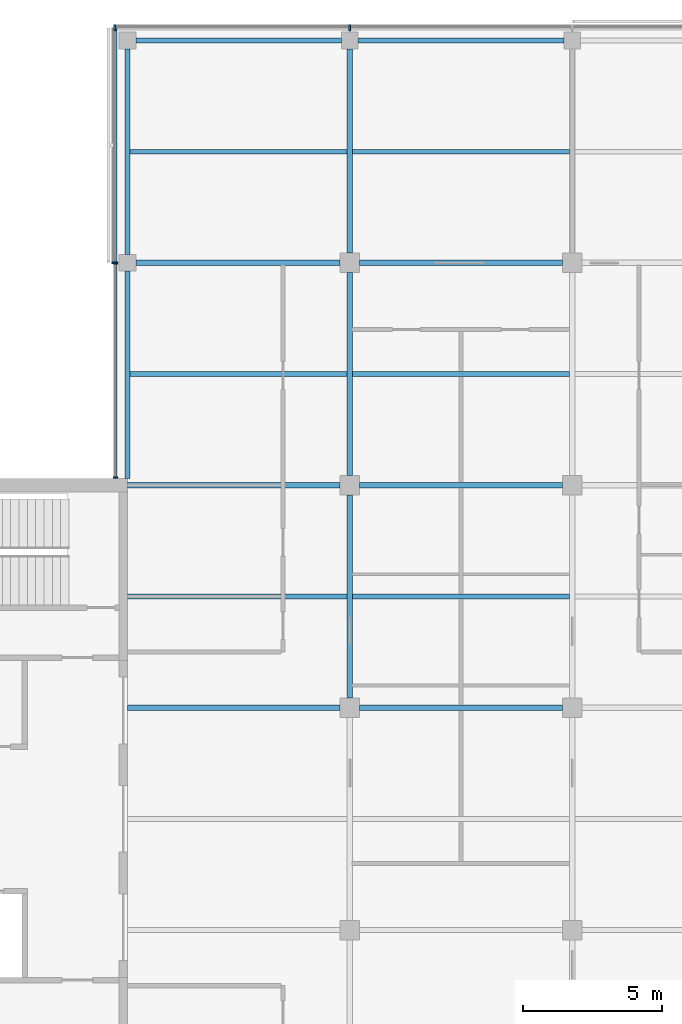
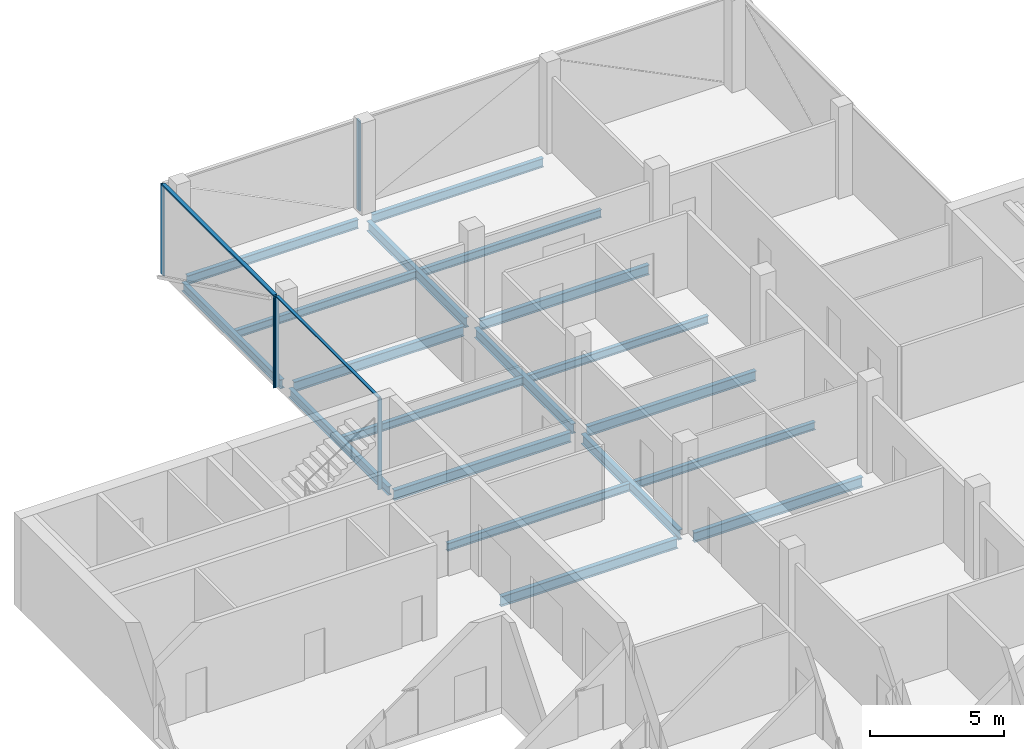
# One storey, part 5 of 16: 19 beams, 7 members, 3 elements without a shape of their own.
"""IFC4 building model written with IfcOpenShell, lengths in metres."""

import ifcopenshell
import ifcopenshell.guid

model = None  # the IFC model being written
_history = None  # IfcOwnerHistory: only IFC2X3 demands one
_inside = {}  # id of a spatial element -> (the spatial element, [elements in it])
_under = {}  # id of a project, library or spatial element -> (it, [spatial elements below it])
_declared = {}  # id of a project -> (the project, [libraries it declares])
_typed = {}  # id of a type object -> (the type object, [elements of that type])
_made_of = {}  # id of a material, layer set ... -> (it, [elements and type objects made of it])


def new_model(schema):
    """Start an empty IFC model of exactly this schema.

    Asked for "IFC4X3", IfcOpenShell would pick the latest addendum, in which some entities
    have other attributes; the version numbers below select the first issue.
    IFC2X3 requires an IfcOwnerHistory on every rooted entity: one is made here for all.
    """
    global model, _history
    if schema == "IFC4X3":
        model = ifcopenshell.file(schema_version=(4, 3, 0, 0))
    else:
        model = ifcopenshell.file(schema=schema)
    _inside.clear()
    _under.clear()
    _declared.clear()
    _typed.clear()
    _made_of.clear()
    _history = None
    if model.schema == "IFC2X3":
        org = make("IfcOrganization", Name="unknown")
        user = make(
            "IfcPersonAndOrganization",
            ThePerson=make("IfcPerson", FamilyName="unknown"),
            TheOrganization=org,
        )
        app = make(
            "IfcApplication",
            ApplicationDeveloper=org,
            Version="unknown",
            ApplicationFullName="unknown",
            ApplicationIdentifier="unknown",
        )
        _history = make(
            "IfcOwnerHistory",
            OwningUser=user,
            OwningApplication=app,
            ChangeAction="ADDED",
            CreationDate=0,
        )
    return model


def make(cls, **values):
    """One entity of the class cls with the attributes given. An attribute that is None is left unset."""
    return model.create_entity(
        cls, **{name: value for name, value in values.items() if value is not None}
    )


def rooted(cls, **values):
    """An entity with a GlobalId (a new one), such as an element, a storey or a relation."""
    return make(cls, GlobalId=ifcopenshell.guid.new(), OwnerHistory=_history, **values)


def si_unit(unit_type, name, prefix=None):
    """IfcSIUnit, for example si_unit("LENGTHUNIT", "METRE", prefix="MILLI")."""
    return make("IfcSIUnit", UnitType=unit_type, Prefix=prefix, Name=name)


def assignment(units):
    """IfcUnitAssignment: the units of a project."""
    return None if units is None else make("IfcUnitAssignment", Units=units)


def point(xyz):
    """IfcCartesianPoint."""
    return None if xyz is None else make("IfcCartesianPoint", Coordinates=xyz)


def direction(xyz):
    """IfcDirection."""
    return None if xyz is None else make("IfcDirection", DirectionRatios=xyz)


def frame(location, z_axis=None, x_axis=None):
    """IfcAxis2Placement3D, a coordinate frame: its origin and axes. An axis left out is left unset."""
    return make(
        "IfcAxis2Placement3D",
        Location=point(location),
        Axis=direction(z_axis),
        RefDirection=direction(x_axis),
    )


def frame_2d(location, x_axis=None):
    """IfcAxis2Placement2D, a coordinate frame in the plane: its origin and x axis."""
    return make(
        "IfcAxis2Placement2D", Location=point(location), RefDirection=direction(x_axis)
    )


def origin():
    """The frame at (0, 0, 0) with its axes left unset."""
    return frame((0.0, 0.0, 0.0))


def origin_2d():
    """The frame at (0, 0) in the plane with its x axis left unset."""
    return frame_2d((0.0, 0.0))


def place(relative_to, where):
    """IfcLocalPlacement: puts the frame where relative to a parent placement (None: the world)."""
    return make(
        "IfcLocalPlacement", PlacementRelTo=relative_to, RelativePlacement=where
    )


def context(
    kind, dimensions, precision=None, world=None, true_north=None, identifier=None
):
    """IfcGeometricRepresentationContext, for example the 3D "Model" context."""
    return make(
        "IfcGeometricRepresentationContext",
        ContextIdentifier=identifier,
        ContextType=kind,
        CoordinateSpaceDimension=dimensions,
        Precision=precision,
        WorldCoordinateSystem=world,
        TrueNorth=true_north,
    )


def subcontext(parent, identifier, kind, view, scale=None):
    """IfcGeometricRepresentationSubContext, for example "Body" below "Model"."""
    return make(
        "IfcGeometricRepresentationSubContext",
        ContextIdentifier=identifier,
        ContextType=kind,
        ParentContext=parent,
        TargetScale=scale,
        TargetView=view,
    )


def project(units=None, contexts=None):
    """IfcProject with its units and contexts."""
    return rooted(
        "IfcProject",
        Name="project",
        RepresentationContexts=contexts,
        UnitsInContext=assignment(units),
    )


def spatial(cls, under=None, at=None, **own):
    """A site, building, storey or space (cls), placed at a placement, below another one or the project."""
    s = rooted(cls, ObjectPlacement=at, **own)
    if under is not None:
        _under.setdefault(under.id(), (under, []))[1].append(s)
    return s


def profile(cls, at=None, kind="AREA", **sizes):
    """A parametric profile (cls). Its sizes go by their IFC names, for example OverallWidth=200.0."""
    return make(cls, ProfileType=kind, Position=at, **sizes)


def rectangle(**sizes):
    """IfcRectangleProfileDef."""
    return profile("IfcRectangleProfileDef", **sizes)


def i_section(**sizes):
    """IfcIShapeProfileDef."""
    return profile("IfcIShapeProfileDef", **sizes)


def extrude(swept, where, along, depth):
    """IfcExtrudedAreaSolid: the profile swept, set in the frame where, extruded along a direction by depth."""
    return make(
        "IfcExtrudedAreaSolid",
        SweptArea=swept,
        Position=where,
        ExtrudedDirection=direction(along),
        Depth=depth,
    )


def shape(context_of_items, identifier, shape_type, items):
    """IfcShapeRepresentation: the items that make up one representation, for example the "Body"."""
    return make(
        "IfcShapeRepresentation",
        ContextOfItems=context_of_items,
        RepresentationIdentifier=identifier,
        RepresentationType=shape_type,
        Items=items,
    )


def material(Name=None, Category=None):
    """IfcMaterial."""
    return make("IfcMaterial", Name=Name, Category=Category)


def material_profile(
    of_material, cross_section, Name=None, Category=None, Priority=None
):
    """IfcMaterialProfile: a cross section and its material."""
    return make(
        "IfcMaterialProfile",
        Name=Name,
        Material=of_material,
        Profile=cross_section,
        Priority=Priority,
        Category=Category,
    )


def profile_set(profiles, Name=None, composite=None):
    """IfcMaterialProfileSet."""
    return make(
        "IfcMaterialProfileSet",
        Name=Name,
        MaterialProfiles=profiles,
        CompositeProfile=composite,
    )


def made_of(thing, what):
    """Note that an element or type object is made of a material, layer set ...; save() writes the relation."""
    if what is not None:
        _made_of.setdefault(what.id(), (what, []))[1].append(thing)
    return thing


def type_object(cls, material=None, **own):
    """A type object (cls), such as IfcWallType, which elements share."""
    return made_of(rooted(cls, **own), material)


def element(
    cls,
    number,
    at=None,
    inside=None,
    cuts=None,
    type_object=None,
    material=None,
    context=None,
    identifier="Body",
    shape_type=None,
    held_by="IfcProductDefinitionShape",
    body=None,
    shapes=None,
    **own,
):
    """One element of the class cls, such as IfcWall. Its Tag is "e" and its number.

    at: its placement. inside: the storey or other place that contains it. cuts: it is an
    opening in that element (IfcRelVoidsElement). A single representation is given by context,
    identifier, shape_type and body (its items); several are given by shapes. held_by: the class
    of the entity that holds the representations. save() writes the other relations.
    """
    e = rooted(cls, Tag="e%d" % number, ObjectPlacement=at, **own)
    if body is not None:
        shapes = [shape(context, identifier, shape_type, body)]
    if shapes is not None:
        e.Representation = make(held_by, Representations=shapes)
    if inside is not None:
        _inside.setdefault(inside.id(), (inside, []))[1].append(e)
    if cuts is not None:
        rooted(
            "IfcRelVoidsElement", RelatingBuildingElement=cuts, RelatedOpeningElement=e
        )
    if type_object is not None:
        _typed.setdefault(type_object.id(), (type_object, []))[1].append(e)
    return made_of(e, material)


def aggregate(whole, parts):
    """IfcRelAggregates: a whole, such as a stair, and the parts it consists of."""
    return rooted("IfcRelAggregates", RelatingObject=whole, RelatedObjects=parts)


def save(model, path):
    """Write the relations noted so far, then the file.

    IfcRelAggregates (storeys below a building ...), IfcRelContainedInSpatialStructure (elements
    in a storey), IfcRelDefinesByType, IfcRelAssociatesMaterial and IfcRelDeclares: one each for
    every whole, place, type object, material and project.
    """
    for whole, parts in _under.values():
        aggregate(whole, parts)
    for where, things in _inside.values():
        rooted(
            "IfcRelContainedInSpatialStructure",
            RelatedElements=things,
            RelatingStructure=where,
        )
    for kind, things in _typed.values():
        rooted("IfcRelDefinesByType", RelatedObjects=things, RelatingType=kind)
    for what, things in _made_of.values():
        rooted("IfcRelAssociatesMaterial", RelatedObjects=things, RelatingMaterial=what)
    for by, libraries in _declared.values():
        rooted("IfcRelDeclares", RelatingContext=by, RelatedDefinitions=libraries)
    model.write(path)


model = new_model("IFC4")

# Units and contexts
model_context = context("Model", 3, precision=1e-05, world=origin(), true_north=direction((0.0, 1.0)))
body_context = subcontext(model_context, "Body", "Model", "MODEL_VIEW")
ifc_project = project(units=[si_unit("LENGTHUNIT", "METRE"), si_unit("AREAUNIT", "SQUARE_METRE"), si_unit("VOLUMEUNIT", "CUBIC_METRE"), si_unit("PLANEANGLEUNIT", "RADIAN"), si_unit("MASSUNIT", "GRAM", prefix="KILO")], contexts=[model_context])

# Site, building, storey
site_placement = place(None, origin())
site = spatial("IfcSite", under=ifc_project, at=site_placement, CompositionType="ELEMENT")
building_placement = place(site_placement, origin())
building = spatial("IfcBuilding", under=site, at=building_placement, Name="Crosswind Convention Tower", CompositionType="ELEMENT")
storey_placement = place(building_placement, frame((0.0, 0.0, 278.699951171875)))
storey = spatial("IfcBuildingStorey", under=building, at=storey_placement, Name="L60", CompositionType="ELEMENT", Elevation=278.699951171875)

# Beams
ifc_material_1 = material(Name="Steel S355", Category="steel")
ifc_material_profile_1 = material_profile(ifc_material_1, i_section(OverallWidth=0.177734375, OverallDepth=0.406494140625, WebThickness=0.0078125, FlangeThickness=0.0126953125, FilletRadius=0.01025390625, at=origin_2d()), Name="UB 406x178x60")
ifc_profile_set_1 = profile_set([ifc_material_profile_1], Name="Steel S355")
beam_type_1 = type_object("IfcBeamType", Name="Edge beam UB 406x178x60", PredefinedType="SPANDREL", material=ifc_profile_set_1)
beam_1_placement = place(storey_placement, frame((113.0, 112.25, -0.503173828125), z_axis=(0.0, 1.0, 0.0), x_axis=(-1.0, 0.0, 0.0)))
element("IfcBeam", 1, at=beam_1_placement, inside=storey, type_object=beam_type_1, Name="B15 L60 edge beam 3", PredefinedType="SPANDREL", context=body_context, shape_type="SweptSolid", body=[
    extrude(i_section(OverallWidth=0.177734375, OverallDepth=0.406494140625, WebThickness=0.0078125, FlangeThickness=0.0126953125, FilletRadius=0.01025390625, at=origin_2d()), origin(), (0.0, 0.0, 1.0), 7.449951171875),
])
for number, where, z_axis, x_axis, name in (
    (2, (113.0, 120.300048828125, -0.503173828125), (0.0, 1.0, 0.0), (-1.0, 0.0, 0.0), "B15 L60 edge beam 4"),
    (3, (113.300048828125, 128.0, -0.503173828125), (1.0, 0.0, 0.0), (0.0, 1.0, 0.0), "B15 L60 edge beam 6"),
    (4, (121.300048828125, 128.0, -0.503173828125), (1.0, 0.0, 0.0), (0.0, 1.0, 0.0), "B15 L60 edge beam 8"),
):
    element("IfcBeam", number, at=place(storey_placement, frame(where, z_axis=z_axis, x_axis=x_axis)), inside=storey, type_object=beam_type_1, Name=name, PredefinedType="SPANDREL", context=body_context, shape_type="SweptSolid", body=[
        extrude(i_section(OverallWidth=0.177734375, OverallDepth=0.406494140625, WebThickness=0.0078125, FlangeThickness=0.0126953125, FilletRadius=0.01025390625, at=origin_2d()), origin(), (0.0, 0.0, 1.0), 7.39990234375),
    ])
ifc_material_profile_2 = material_profile(ifc_material_1, i_section(OverallWidth=0.18994140625, OverallDepth=0.45361328125, WebThickness=0.008544921875, FlangeThickness=0.0126953125, FilletRadius=0.01025390625, at=origin_2d()), Name="UB 457x191x67")
ifc_profile_set_2 = profile_set([ifc_material_profile_2], Name="Steel S355")
beam_type_2 = type_object("IfcBeamType", Name="Girder UB 457x191x67", PredefinedType="BEAM", material=ifc_profile_set_2)
beam_2_placement = place(storey_placement, frame((113.300048828125, 120.0, -0.52685546875), z_axis=(1.0, 0.0, 0.0), x_axis=(0.0, 1.0, 0.0)))
element("IfcBeam", 5, at=beam_2_placement, inside=storey, type_object=beam_type_2, Name="B1 L60 girder 2", PredefinedType="BEAM", context=body_context, shape_type="SweptSolid", body=[
    extrude(i_section(OverallWidth=0.18994140625, OverallDepth=0.45361328125, WebThickness=0.008544921875, FlangeThickness=0.0126953125, FilletRadius=0.01025390625, at=origin_2d()), origin(), (0.0, 0.0, 1.0), 7.349853515625),
])
for number, where, z_axis, x_axis, name in (
    (6, (121.0, 104.35009765625, -0.52685546875), (0.0, 1.0, 0.0), (-1.0, 0.0, 0.0), "B1 L60 girder 7"),
    (7, (121.0, 112.35009765625, -0.52685546875), (0.0, 1.0, 0.0), (-1.0, 0.0, 0.0), "B1 L60 girder 8"),
):
    element("IfcBeam", number, at=place(storey_placement, frame(where, z_axis=z_axis, x_axis=x_axis)), inside=storey, type_object=beam_type_2, Name=name, PredefinedType="BEAM", context=body_context, shape_type="SweptSolid", body=[
        extrude(i_section(OverallWidth=0.18994140625, OverallDepth=0.45361328125, WebThickness=0.008544921875, FlangeThickness=0.0126953125, FilletRadius=0.01025390625, at=origin_2d()), origin(), (0.0, 0.0, 1.0), 7.2998046875),
    ])
beam_3_placement = place(storey_placement, frame((121.0, 120.35009765625, -0.52685546875), z_axis=(0.0, 1.0, 0.0), x_axis=(-1.0, 0.0, 0.0)))
element("IfcBeam", 8, at=beam_3_placement, inside=storey, type_object=beam_type_2, Name="B1 L60 girder 9", PredefinedType="BEAM", context=body_context, shape_type="SweptSolid", body=[
    extrude(i_section(OverallWidth=0.18994140625, OverallDepth=0.45361328125, WebThickness=0.008544921875, FlangeThickness=0.0126953125, FilletRadius=0.01025390625, at=origin_2d()), origin(), (0.0, 0.0, 1.0), 7.349853515625),
])
for number, where, z_axis, x_axis, name in (
    (9, (121.35009765625, 104.0, -0.52685546875), (1.0, 0.0, 0.0), (0.0, 1.0, 0.0), "B1 L60 girder 13"),
    (10, (121.35009765625, 112.0, -0.52685546875), (1.0, 0.0, 0.0), (0.0, 1.0, 0.0), "B1 L60 girder 14"),
    (11, (121.35009765625, 120.0, -0.52685546875), (1.0, 0.0, 0.0), (0.0, 1.0, 0.0), "B1 L60 girder 15"),
):
    element("IfcBeam", number, at=place(storey_placement, frame(where, z_axis=z_axis, x_axis=x_axis)), inside=storey, type_object=beam_type_2, Name=name, PredefinedType="BEAM", context=body_context, shape_type="SweptSolid", body=[
        extrude(i_section(OverallWidth=0.18994140625, OverallDepth=0.45361328125, WebThickness=0.008544921875, FlangeThickness=0.0126953125, FilletRadius=0.01025390625, at=origin_2d()), origin(), (0.0, 0.0, 1.0), 7.2998046875),
    ])
ifc_material_profile_3 = material_profile(ifc_material_1, i_section(OverallWidth=0.1904296875, OverallDepth=0.457275390625, WebThickness=0.009033203125, FlangeThickness=0.014404296875, FilletRadius=0.01025390625, at=origin_2d()), Name="UB 457x191x75")
ifc_profile_set_3 = profile_set([ifc_material_profile_3], Name="Steel S355")
beam_type_3 = type_object("IfcBeamType", Name="Girder at core wall UB 457x191x75", PredefinedType="BEAM", material=ifc_profile_set_3)
for number, where, z_axis, x_axis, name in (
    (12, (113.0, 104.0, -0.528564453125), (1.0, 0.0, 0.0), (0.0, 1.0, 0.0), "B22 L60 girder at core wall 3"),
    (13, (113.0, 112.0, -0.528564453125), (1.0, 0.0, 0.0), (0.0, 1.0, 0.0), "B22 L60 girder at core wall 4"),
):
    element("IfcBeam", number, at=place(storey_placement, frame(where, z_axis=z_axis, x_axis=x_axis)), inside=storey, type_object=beam_type_3, Name=name, PredefinedType="BEAM", context=body_context, shape_type="SweptSolid", body=[
        extrude(i_section(OverallWidth=0.1904296875, OverallDepth=0.457275390625, WebThickness=0.009033203125, FlangeThickness=0.014404296875, FilletRadius=0.01025390625, at=origin_2d()), origin(), (0.0, 0.0, 1.0), 7.64990234375),
    ])

# Curtain wall, members
ifc_material_2 = material(Name="Aluminium unitised curtain wall", Category="aluminium")
curtain_wall_type_1 = type_object("IfcCurtainWallType", Name="CORE END SLOT WALL 160", PredefinedType="USERDEFINED", material=ifc_material_2)
curtain_wall_1_placement = place(storey_placement, origin())
curtain_wall_1 = element("IfcCurtainWall", 14, at=curtain_wall_1_placement, inside=storey, type_object=curtain_wall_type_1, Name="CW6 L60 N-W.1-2 slot", ObjectType="UNITISED", PredefinedType="USERDEFINED")
ifc_material_3 = material(Name="Aluminium mullion", Category="aluminium")
ifc_material_profile_4 = material_profile(ifc_material_3, rectangle(XDim=0.159912109375, YDim=0.050048828125, at=origin_2d()), Name="AL 160X50")
ifc_profile_set_4 = profile_set([ifc_material_profile_4], Name="Aluminium mullion")
member_type_1 = type_object("IfcMemberType", Name="MULLION 50X160", PredefinedType="MULLION", material=ifc_profile_set_4)
member_1_placement = place(storey_placement, frame((112.570068359375, 119.97509765625, -0.300048828125), z_axis=(0.0, 0.0, 1.0), x_axis=(-1.0, 0.0, 0.0)))
member_1 = element("IfcMember", 15, at=member_1_placement, type_object=member_type_1, Name="CW6 mullion 1", PredefinedType="MULLION", context=body_context, shape_type="SweptSolid", body=[
    extrude(rectangle(XDim=0.159912109375, YDim=0.050048828125, at=origin_2d()), origin(), (0.0, 0.0, 1.0), 4.150146484375),
])
member_2_placement = place(storey_placement, frame((112.570068359375, 112.27490234375, -0.300048828125), z_axis=(0.0, 0.0, 1.0), x_axis=(-1.0, 0.0, 0.0)))
member_2 = element("IfcMember", 16, at=member_2_placement, type_object=member_type_1, Name="CW6 mullion 2", PredefinedType="MULLION", context=body_context, shape_type="SweptSolid", body=[
    extrude(rectangle(XDim=0.159912109375, YDim=0.050048828125, at=origin_2d()), origin(), (0.0, 0.0, 1.0), 4.150146484375),
])

curtain_wall_type_2 = type_object("IfcCurtainWallType", Name="OFFICE UNITISED WALL 220", PredefinedType="USERDEFINED", material=ifc_material_2)
curtain_wall_2_placement = place(storey_placement, origin())
curtain_wall_2 = element("IfcCurtainWall", 17, at=curtain_wall_2_placement, inside=storey, type_object=curtain_wall_type_2, Name="CW3 L60 N-TIP 1", ObjectType="UNITISED", PredefinedType="USERDEFINED")
ifc_material_profile_5 = material_profile(ifc_material_3, rectangle(XDim=0.219970703125, YDim=0.070068359375, at=origin_2d()), Name="AL 220X70")
ifc_profile_set_5 = profile_set([ifc_material_profile_5], Name="Aluminium mullion")
member_type_2 = type_object("IfcMemberType", Name="MULLION 70X220", PredefinedType="MULLION", material=ifc_profile_set_5)
member_3_placement = place(storey_placement, frame((121.0, 128.4599609375, -0.300048828125), z_axis=(0.0, 0.0, 1.0), x_axis=(0.0, 1.0, 0.0)))
member_3 = element("IfcMember", 18, at=member_3_placement, type_object=member_type_2, Name="CW3 mullion 3", PredefinedType="MULLION", context=body_context, shape_type="SweptSolid", body=[
    extrude(rectangle(XDim=0.219970703125, YDim=0.070068359375, at=origin_2d()), origin(), (0.0, 0.0, 1.0), 4.130126953125),
])
member_4_placement = place(storey_placement, frame((112.5400390625, 128.4599609375, -0.300048828125), z_axis=(0.0, 0.0, 1.0), x_axis=(0.0, 1.0, 0.0)))
member_4 = element("IfcMember", 19, at=member_4_placement, type_object=member_type_2, Name="CW3 mullion 4", PredefinedType="MULLION", context=body_context, shape_type="SweptSolid", body=[
    extrude(rectangle(XDim=0.219970703125, YDim=0.070068359375, at=origin_2d()), origin(), (0.0, 0.0, 1.0), 4.130126953125),
])
aggregate(curtain_wall_2, [member_3, member_4])

# Curtain wall, member
curtain_wall_3_placement = place(storey_placement, origin())
curtain_wall_3 = element("IfcCurtainWall", 20, at=curtain_wall_3_placement, inside=storey, type_object=curtain_wall_type_2, Name="CW3 L60 N-W 1", ObjectType="UNITISED", PredefinedType="USERDEFINED")
member_5_placement = place(storey_placement, frame((112.5400390625, 120.0, -0.300048828125), z_axis=(0.0, 0.0, 1.0), x_axis=(-1.0, 0.0, 0.0)))
member_5 = element("IfcMember", 21, at=member_5_placement, type_object=member_type_2, Name="CW3 mullion 2", PredefinedType="MULLION", context=body_context, shape_type="SweptSolid", body=[
    extrude(rectangle(XDim=0.219970703125, YDim=0.070068359375, at=origin_2d()), origin(), (0.0, 0.0, 1.0), 4.130126953125),
])

# Beams
ifc_material_profile_6 = material_profile(ifc_material_1, i_section(OverallWidth=0.17138671875, OverallDepth=0.355712890625, WebThickness=0.00732421875, FlangeThickness=0.011474609375, FilletRadius=0.01025390625, at=origin_2d()), Name="UB 356x171x51")
ifc_profile_set_6 = profile_set([ifc_material_profile_6], Name="Steel S355")
beam_type_4 = type_object("IfcBeamType", Name="Secondary beam UB 356x171x51", PredefinedType="JOIST", material=ifc_profile_set_6)
beam_4_placement = place(storey_placement, frame((113.0, 108.0, -0.477783203125), z_axis=(1.0, 0.0, 0.0), x_axis=(0.0, 1.0, 0.0)))
element("IfcBeam", 22, at=beam_4_placement, inside=storey, type_object=beam_type_4, Name="B8 L60 secondary beam 3", PredefinedType="JOIST", context=body_context, shape_type="SweptSolid", body=[
    extrude(i_section(OverallWidth=0.17138671875, OverallDepth=0.355712890625, WebThickness=0.00732421875, FlangeThickness=0.011474609375, FilletRadius=0.01025390625, at=origin_2d()), origin(), (0.0, 0.0, 1.0), 7.905029296875),
])
for number, where, z_axis, x_axis, name in (
    (23, (113.0888671875, 116.0, -0.477783203125), (1.0, 0.0, 0.0), (0.0, 1.0, 0.0), "B8 L60 secondary beam 6"),
    (24, (113.0888671875, 124.0, -0.477783203125), (1.0, 0.0, 0.0), (0.0, 1.0, 0.0), "B8 L60 secondary beam 7"),
):
    element("IfcBeam", number, at=place(storey_placement, frame(where, z_axis=z_axis, x_axis=x_axis)), inside=storey, type_object=beam_type_4, Name=name, PredefinedType="JOIST", context=body_context, shape_type="SweptSolid", body=[
        extrude(i_section(OverallWidth=0.17138671875, OverallDepth=0.355712890625, WebThickness=0.00732421875, FlangeThickness=0.011474609375, FilletRadius=0.01025390625, at=origin_2d()), origin(), (0.0, 0.0, 1.0), 7.816162109375),
    ])
for number, where, z_axis, x_axis, name in (
    (25, (121.094970703125, 108.0, -0.477783203125), (1.0, 0.0, 0.0), (0.0, 1.0, 0.0), "B8 L60 secondary beam 12"),
    (26, (121.094970703125, 116.0, -0.477783203125), (1.0, 0.0, 0.0), (0.0, 1.0, 0.0), "B8 L60 secondary beam 13"),
    (27, (121.094970703125, 124.0, -0.477783203125), (1.0, 0.0, 0.0), (0.0, 1.0, 0.0), "B8 L60 secondary beam 14"),
):
    element("IfcBeam", number, at=place(storey_placement, frame(where, z_axis=z_axis, x_axis=x_axis)), inside=storey, type_object=beam_type_4, Name=name, PredefinedType="JOIST", context=body_context, shape_type="SweptSolid", body=[
        extrude(i_section(OverallWidth=0.17138671875, OverallDepth=0.355712890625, WebThickness=0.00732421875, FlangeThickness=0.011474609375, FilletRadius=0.01025390625, at=origin_2d()), origin(), (0.0, 0.0, 1.0), 7.81005859375),
    ])

# Member
ifc_material_4 = material(Name="Aluminium transom", Category="aluminium")
ifc_material_profile_7 = material_profile(ifc_material_4, rectangle(XDim=0.1201171875, YDim=0.050048828125, at=origin_2d()), Name="AL 120X50")
ifc_profile_set_7 = profile_set([ifc_material_profile_7], Name="Aluminium transom")
member_type_3 = type_object("IfcMemberType", Name="TRANSOM 50X120", PredefinedType="USERDEFINED", material=ifc_profile_set_7)
member_6_placement = place(storey_placement, frame((112.570068359375, 119.949951171875, 3.875), z_axis=(0.0, -1.0, 0.0), x_axis=(1.0, 0.0, 0.0)))
member_6 = element("IfcMember", 28, at=member_6_placement, type_object=member_type_3, Name="CW6 transom", ObjectType="TRANSOM", PredefinedType="USERDEFINED", context=body_context, shape_type="SweptSolid", body=[
    extrude(rectangle(XDim=0.1201171875, YDim=0.050048828125, at=origin_2d()), origin(), (0.0, 0.0, 1.0), 7.64990234375),
])

aggregate(curtain_wall_1, [member_1, member_2, member_6])

ifc_material_profile_8 = material_profile(ifc_material_4, rectangle(XDim=0.159912109375, YDim=0.070068359375, at=origin_2d()), Name="AL 160X70")
ifc_profile_set_8 = profile_set([ifc_material_profile_8], Name="Aluminium transom")
member_type_4 = type_object("IfcMemberType", Name="TRANSOM 70X160", PredefinedType="USERDEFINED", material=ifc_profile_set_8)
member_7_placement = place(storey_placement, frame((112.5400390625, 128.425048828125, 3.864990234375), z_axis=(0.0, -1.0, 0.0), x_axis=(1.0, 0.0, 0.0)))
member_7 = element("IfcMember", 29, at=member_7_placement, type_object=member_type_4, Name="CW3 transom", ObjectType="TRANSOM", PredefinedType="USERDEFINED", context=body_context, shape_type="SweptSolid", body=[
    extrude(rectangle(XDim=0.159912109375, YDim=0.070068359375, at=origin_2d()), origin(), (0.0, 0.0, 1.0), 8.39013671875),
])

aggregate(curtain_wall_3, [member_5, member_7])

save(model, "model.ifc")
